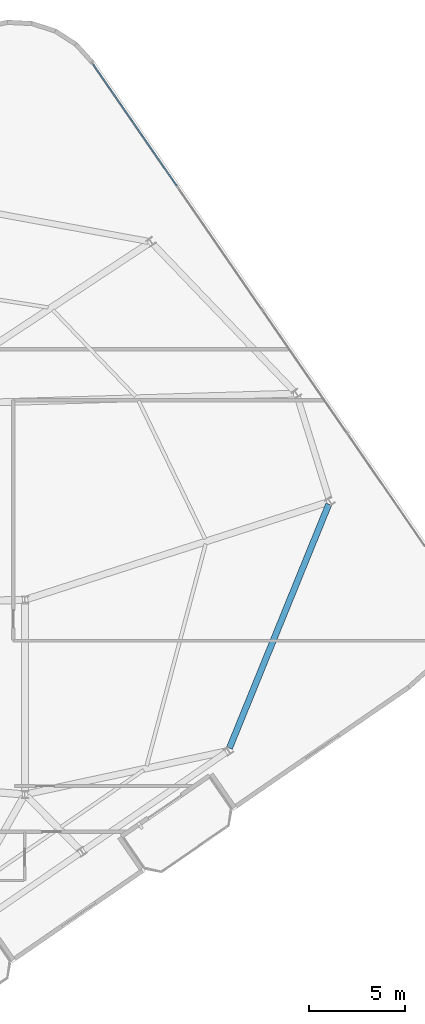
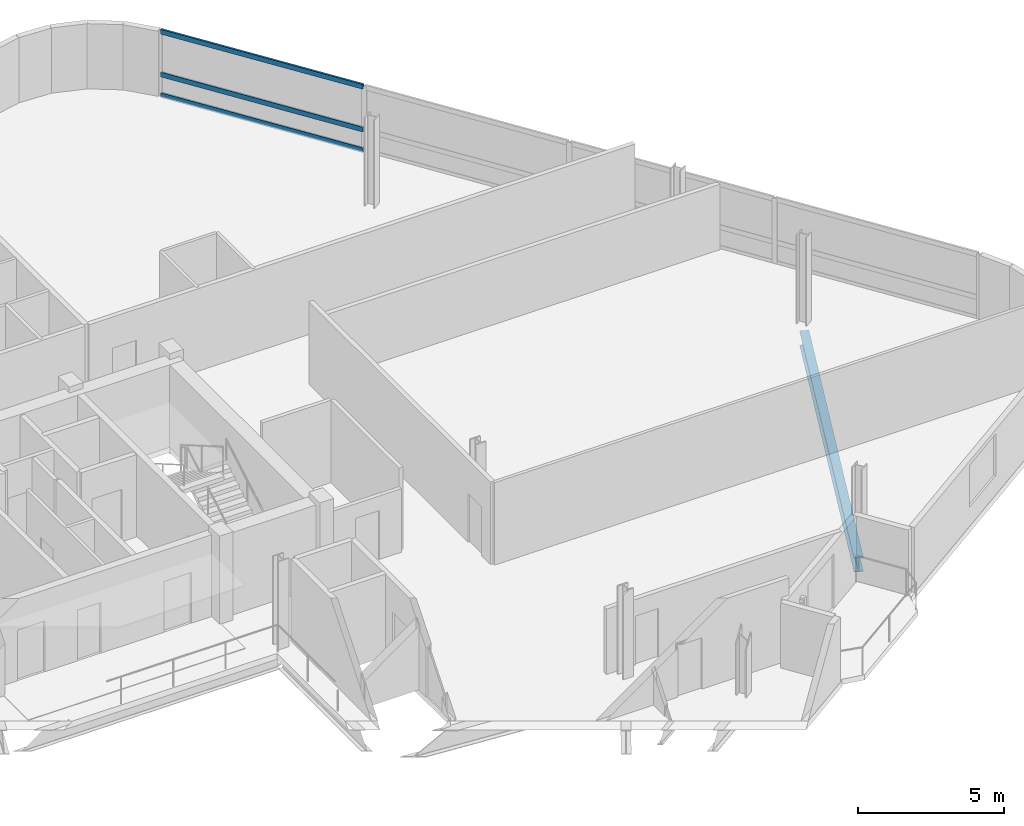
# One storey, part 10 of 21: 3 members, 1 beam, 1 element without a shape of its own.
"""IFC4 building model written with IfcOpenShell, lengths in metres."""

import ifcopenshell
import ifcopenshell.guid

model = None  # the IFC model being written
_history = None  # IfcOwnerHistory: only IFC2X3 demands one
_inside = {}  # id of a spatial element -> (the spatial element, [elements in it])
_under = {}  # id of a project, library or spatial element -> (it, [spatial elements below it])
_declared = {}  # id of a project -> (the project, [libraries it declares])
_typed = {}  # id of a type object -> (the type object, [elements of that type])
_made_of = {}  # id of a material, layer set ... -> (it, [elements and type objects made of it])


def new_model(schema):
    """Start an empty IFC model of exactly this schema.

    Asked for "IFC4X3", IfcOpenShell would pick the latest addendum, in which some entities
    have other attributes; the version numbers below select the first issue.
    IFC2X3 requires an IfcOwnerHistory on every rooted entity: one is made here for all.
    """
    global model, _history
    if schema == "IFC4X3":
        model = ifcopenshell.file(schema_version=(4, 3, 0, 0))
    else:
        model = ifcopenshell.file(schema=schema)
    _inside.clear()
    _under.clear()
    _declared.clear()
    _typed.clear()
    _made_of.clear()
    _history = None
    if model.schema == "IFC2X3":
        org = make("IfcOrganization", Name="unknown")
        user = make(
            "IfcPersonAndOrganization",
            ThePerson=make("IfcPerson", FamilyName="unknown"),
            TheOrganization=org,
        )
        app = make(
            "IfcApplication",
            ApplicationDeveloper=org,
            Version="unknown",
            ApplicationFullName="unknown",
            ApplicationIdentifier="unknown",
        )
        _history = make(
            "IfcOwnerHistory",
            OwningUser=user,
            OwningApplication=app,
            ChangeAction="ADDED",
            CreationDate=0,
        )
    return model


def make(cls, **values):
    """One entity of the class cls with the attributes given. An attribute that is None is left unset."""
    return model.create_entity(
        cls, **{name: value for name, value in values.items() if value is not None}
    )


def rooted(cls, **values):
    """An entity with a GlobalId (a new one), such as an element, a storey or a relation."""
    return make(cls, GlobalId=ifcopenshell.guid.new(), OwnerHistory=_history, **values)


def si_unit(unit_type, name, prefix=None):
    """IfcSIUnit, for example si_unit("LENGTHUNIT", "METRE", prefix="MILLI")."""
    return make("IfcSIUnit", UnitType=unit_type, Prefix=prefix, Name=name)


def assignment(units):
    """IfcUnitAssignment: the units of a project."""
    return None if units is None else make("IfcUnitAssignment", Units=units)


def point(xyz):
    """IfcCartesianPoint."""
    return None if xyz is None else make("IfcCartesianPoint", Coordinates=xyz)


def direction(xyz):
    """IfcDirection."""
    return None if xyz is None else make("IfcDirection", DirectionRatios=xyz)


def frame(location, z_axis=None, x_axis=None):
    """IfcAxis2Placement3D, a coordinate frame: its origin and axes. An axis left out is left unset."""
    return make(
        "IfcAxis2Placement3D",
        Location=point(location),
        Axis=direction(z_axis),
        RefDirection=direction(x_axis),
    )


def frame_2d(location, x_axis=None):
    """IfcAxis2Placement2D, a coordinate frame in the plane: its origin and x axis."""
    return make(
        "IfcAxis2Placement2D", Location=point(location), RefDirection=direction(x_axis)
    )


def origin():
    """The frame at (0, 0, 0) with its axes left unset."""
    return frame((0.0, 0.0, 0.0))


def origin_2d():
    """The frame at (0, 0) in the plane with its x axis left unset."""
    return frame_2d((0.0, 0.0))


def place(relative_to, where):
    """IfcLocalPlacement: puts the frame where relative to a parent placement (None: the world)."""
    return make(
        "IfcLocalPlacement", PlacementRelTo=relative_to, RelativePlacement=where
    )


def context(
    kind, dimensions, precision=None, world=None, true_north=None, identifier=None
):
    """IfcGeometricRepresentationContext, for example the 3D "Model" context."""
    return make(
        "IfcGeometricRepresentationContext",
        ContextIdentifier=identifier,
        ContextType=kind,
        CoordinateSpaceDimension=dimensions,
        Precision=precision,
        WorldCoordinateSystem=world,
        TrueNorth=true_north,
    )


def subcontext(parent, identifier, kind, view, scale=None):
    """IfcGeometricRepresentationSubContext, for example "Body" below "Model"."""
    return make(
        "IfcGeometricRepresentationSubContext",
        ContextIdentifier=identifier,
        ContextType=kind,
        ParentContext=parent,
        TargetScale=scale,
        TargetView=view,
    )


def project(units=None, contexts=None):
    """IfcProject with its units and contexts."""
    return rooted(
        "IfcProject",
        Name="project",
        RepresentationContexts=contexts,
        UnitsInContext=assignment(units),
    )


def spatial(cls, under=None, at=None, **own):
    """A site, building, storey or space (cls), placed at a placement, below another one or the project."""
    s = rooted(cls, ObjectPlacement=at, **own)
    if under is not None:
        _under.setdefault(under.id(), (under, []))[1].append(s)
    return s


def profile(cls, at=None, kind="AREA", **sizes):
    """A parametric profile (cls). Its sizes go by their IFC names, for example OverallWidth=200.0."""
    return make(cls, ProfileType=kind, Position=at, **sizes)


def hollow_rectangle(**sizes):
    """IfcRectangleHollowProfileDef."""
    return profile("IfcRectangleHollowProfileDef", **sizes)


def i_section(**sizes):
    """IfcIShapeProfileDef."""
    return profile("IfcIShapeProfileDef", **sizes)


def extrude(swept, where, along, depth):
    """IfcExtrudedAreaSolid: the profile swept, set in the frame where, extruded along a direction by depth."""
    return make(
        "IfcExtrudedAreaSolid",
        SweptArea=swept,
        Position=where,
        ExtrudedDirection=direction(along),
        Depth=depth,
    )


def shape(context_of_items, identifier, shape_type, items):
    """IfcShapeRepresentation: the items that make up one representation, for example the "Body"."""
    return make(
        "IfcShapeRepresentation",
        ContextOfItems=context_of_items,
        RepresentationIdentifier=identifier,
        RepresentationType=shape_type,
        Items=items,
    )


def material(Name=None, Category=None):
    """IfcMaterial."""
    return make("IfcMaterial", Name=Name, Category=Category)


def layer(
    of_material, thickness, ventilated=None, Name=None, Category=None, Priority=None
):
    """IfcMaterialLayer: one layer of a wall or slab, of a material (None: an air gap)."""
    return make(
        "IfcMaterialLayer",
        Material=of_material,
        LayerThickness=thickness,
        IsVentilated=ventilated,
        Name=Name,
        Category=Category,
        Priority=Priority,
    )


def layer_set(layers, Name=None):
    """IfcMaterialLayerSet."""
    return make("IfcMaterialLayerSet", MaterialLayers=layers, LayerSetName=Name)


def material_profile(
    of_material, cross_section, Name=None, Category=None, Priority=None
):
    """IfcMaterialProfile: a cross section and its material."""
    return make(
        "IfcMaterialProfile",
        Name=Name,
        Material=of_material,
        Profile=cross_section,
        Priority=Priority,
        Category=Category,
    )


def profile_set(profiles, Name=None, composite=None):
    """IfcMaterialProfileSet."""
    return make(
        "IfcMaterialProfileSet",
        Name=Name,
        MaterialProfiles=profiles,
        CompositeProfile=composite,
    )


def made_of(thing, what):
    """Note that an element or type object is made of a material, layer set ...; save() writes the relation."""
    if what is not None:
        _made_of.setdefault(what.id(), (what, []))[1].append(thing)
    return thing


def type_object(cls, material=None, **own):
    """A type object (cls), such as IfcWallType, which elements share."""
    return made_of(rooted(cls, **own), material)


def element(
    cls,
    number,
    at=None,
    inside=None,
    cuts=None,
    type_object=None,
    material=None,
    context=None,
    identifier="Body",
    shape_type=None,
    held_by="IfcProductDefinitionShape",
    body=None,
    shapes=None,
    **own,
):
    """One element of the class cls, such as IfcWall. Its Tag is "e" and its number.

    at: its placement. inside: the storey or other place that contains it. cuts: it is an
    opening in that element (IfcRelVoidsElement). A single representation is given by context,
    identifier, shape_type and body (its items); several are given by shapes. held_by: the class
    of the entity that holds the representations. save() writes the other relations.
    """
    e = rooted(cls, Tag="e%d" % number, ObjectPlacement=at, **own)
    if body is not None:
        shapes = [shape(context, identifier, shape_type, body)]
    if shapes is not None:
        e.Representation = make(held_by, Representations=shapes)
    if inside is not None:
        _inside.setdefault(inside.id(), (inside, []))[1].append(e)
    if cuts is not None:
        rooted(
            "IfcRelVoidsElement", RelatingBuildingElement=cuts, RelatedOpeningElement=e
        )
    if type_object is not None:
        _typed.setdefault(type_object.id(), (type_object, []))[1].append(e)
    return made_of(e, material)


def aggregate(whole, parts):
    """IfcRelAggregates: a whole, such as a stair, and the parts it consists of."""
    return rooted("IfcRelAggregates", RelatingObject=whole, RelatedObjects=parts)


def save(model, path):
    """Write the relations noted so far, then the file.

    IfcRelAggregates (storeys below a building ...), IfcRelContainedInSpatialStructure (elements
    in a storey), IfcRelDefinesByType, IfcRelAssociatesMaterial and IfcRelDeclares: one each for
    every whole, place, type object, material and project.
    """
    for whole, parts in _under.values():
        aggregate(whole, parts)
    for where, things in _inside.values():
        rooted(
            "IfcRelContainedInSpatialStructure",
            RelatedElements=things,
            RelatingStructure=where,
        )
    for kind, things in _typed.values():
        rooted("IfcRelDefinesByType", RelatedObjects=things, RelatingType=kind)
    for what, things in _made_of.values():
        rooted("IfcRelAssociatesMaterial", RelatedObjects=things, RelatingMaterial=what)
    for by, libraries in _declared.values():
        rooted("IfcRelDeclares", RelatingContext=by, RelatedDefinitions=libraries)
    model.write(path)


model = new_model("IFC4")

# Units and contexts
model_context = context("Model", 3, precision=1e-05, world=origin(), true_north=direction((0.0, 1.0)))
body_context = subcontext(model_context, "Body", "Model", "MODEL_VIEW")
ifc_project = project(units=[si_unit("LENGTHUNIT", "METRE"), si_unit("AREAUNIT", "SQUARE_METRE"), si_unit("VOLUMEUNIT", "CUBIC_METRE"), si_unit("PLANEANGLEUNIT", "RADIAN"), si_unit("MASSUNIT", "GRAM", prefix="KILO")], contexts=[model_context])

# Site, building, storey
site_placement = place(None, origin())
site = spatial("IfcSite", under=ifc_project, at=site_placement, CompositionType="ELEMENT")
building_placement = place(site_placement, origin())
building = spatial("IfcBuilding", under=site, at=building_placement, Name="Varnelok Gate Tower", CompositionType="ELEMENT")
storey_placement = place(building_placement, frame((0.0, 0.0, 276.699951171875)))
storey = spatial("IfcBuildingStorey", under=building, at=storey_placement, Name="L71", CompositionType="ELEMENT", Elevation=276.699951171875)

# Beam
ifc_material_1 = material(Name="Structural Steel ASTM A992 Grade 50", Category="steel")
ifc_material_profile_1 = material_profile(ifc_material_1, i_section(OverallWidth=0.323974609375, OverallDepth=0.611083984375, WebThickness=0.0126953125, FlangeThickness=0.01904296875, FilletRadius=0.01806640625, at=origin_2d()), Name="W24X104")
ifc_profile_set_1 = profile_set([ifc_material_profile_1], Name="Structural Steel ASTM A992 Grade 50")
beam_type = type_object("IfcBeamType", Name="BM-SPN-W24X104", PredefinedType="SPANDREL", material=ifc_profile_set_1)
beam_placement = place(storey_placement, frame((64.634765625, 21.20849609375, -0.555419921875), z_axis=(0.377167779659, 0.926144948692, 0.0), x_axis=(-0.926144948692, 0.377167779659, 0.0)))
element("IfcBeam", 1, at=beam_placement, inside=storey, type_object=beam_type, Name="L71 Perimeter Spandrel Beam 5", PredefinedType="SPANDREL", context=body_context, shape_type="SweptSolid", body=[
    extrude(i_section(OverallWidth=0.323974609375, OverallDepth=0.611083984375, WebThickness=0.0126953125, FlangeThickness=0.01904296875, FilletRadius=0.01806640625, at=origin_2d()), origin(), (0.0, 0.0, 1.0), 13.695556640625),
])

# Curtain wall, members
ifc_material_2 = material(Name="Anodized Aluminum Alloy 6063-T6", Category="aluminium")
ifc_layer = layer(ifc_material_2, 0.179931640625)
ifc_layer_set = layer_set([ifc_layer], Name="Anodized Aluminum Alloy 6063-T6")
curtain_wall_type = type_object("IfcCurtainWallType", Name="CW4-RESIDENCE-VISION", PredefinedType="USERDEFINED", material=ifc_layer_set)
curtain_wall_placement = place(storey_placement, origin())
curtain_wall = element("IfcCurtainWall", 2, at=curtain_wall_placement, inside=storey, type_object=curtain_wall_type, Name="L71 East End Vision Curtain Wall", ObjectType="UNITISED CURTAIN WALL", PredefinedType="USERDEFINED")
ifc_material_profile_2 = material_profile(ifc_material_2, hollow_rectangle(XDim=0.074951171875, YDim=0.199951171875, WallThickness=0.00390625, at=origin_2d()), Name="ALU200X75X4")
ifc_profile_set_2 = profile_set([ifc_material_profile_2], Name="Anodized Aluminum Alloy 6063-T6")
member_type = type_object("IfcMemberType", Name="CW-TRAN-200", PredefinedType="USERDEFINED", material=ifc_profile_set_2)
member_1_placement = place(storey_placement, frame((57.536865234375, 56.782470703125, 0.03759765625), z_axis=(0.567271254331, -0.823531009744, 0.0), x_axis=(0.823531009744, 0.567271254331, 0.0)))
member_1 = element("IfcMember", 3, at=member_1_placement, type_object=member_type, Name="CW4 transom 1.1", ObjectType="TRANSOM", PredefinedType="USERDEFINED", context=body_context, shape_type="SweptSolid", body=[
    extrude(hollow_rectangle(XDim=0.074951171875, YDim=0.199951171875, WallThickness=0.00390625, at=origin_2d()), origin(), (0.0, 0.0, 1.0), 7.6875),
])
member_2_placement = place(storey_placement, frame((57.536865234375, 56.782470703125, 0.900146484375), z_axis=(0.567271254331, -0.823531009744, 0.0), x_axis=(0.823531009744, 0.567271254331, 0.0)))
member_2 = element("IfcMember", 4, at=member_2_placement, type_object=member_type, Name="CW4 transom 1.2", ObjectType="TRANSOM", PredefinedType="USERDEFINED", context=body_context, shape_type="SweptSolid", body=[
    extrude(hollow_rectangle(XDim=0.074951171875, YDim=0.199951171875, WallThickness=0.00390625, at=origin_2d()), origin(), (0.0, 0.0, 1.0), 7.6875),
])
member_3_placement = place(storey_placement, frame((57.536865234375, 56.782470703125, 2.692626953125), z_axis=(0.567271254331, -0.823531009744, 0.0), x_axis=(0.823531009744, 0.567271254331, 0.0)))
member_3 = element("IfcMember", 5, at=member_3_placement, type_object=member_type, Name="CW4 transom 1.3", ObjectType="TRANSOM", PredefinedType="USERDEFINED", context=body_context, shape_type="SweptSolid", body=[
    extrude(hollow_rectangle(XDim=0.074951171875, YDim=0.199951171875, WallThickness=0.00390625, at=origin_2d()), origin(), (0.0, 0.0, 1.0), 7.6875),
])
aggregate(curtain_wall, [member_1, member_2, member_3])

save(model, "model.ifc")
